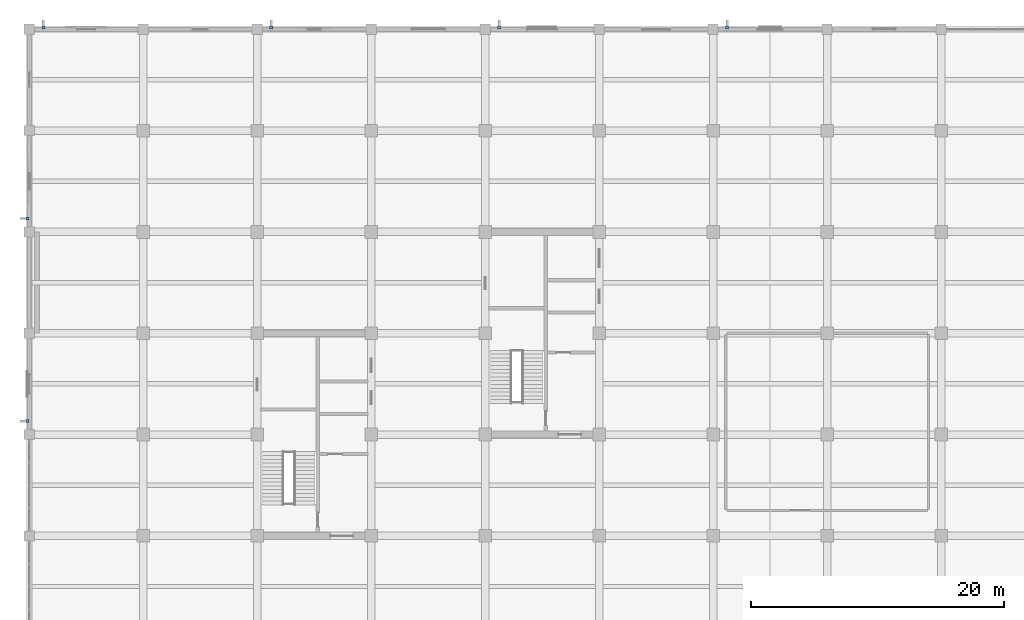
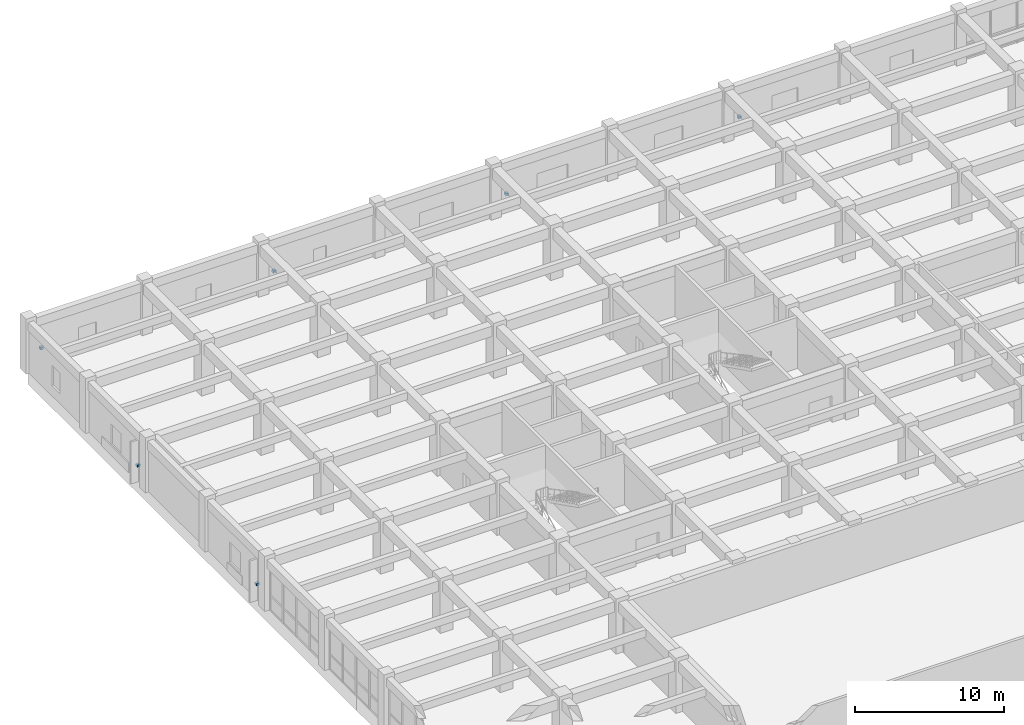
# One storey, part 38 of 50: 6 discrete accessories.
"""IFC4 building model written with IfcOpenShell, lengths in metres."""

from ifc_helpers import new_model, si_unit, direction, frame, origin, origin_2d, place, context, subcontext, project, spatial, rectangle, extrude, material, layer, layer_set, type_object, element, save


model = new_model("IFC4")

# Units and contexts
model_context = context("Model", 3, precision=1e-05, world=origin(), true_north=direction((0.0, 1.0)))
body_context = subcontext(model_context, "Body", "Model", "MODEL_VIEW")
ifc_project = project(units=[si_unit("LENGTHUNIT", "METRE"), si_unit("AREAUNIT", "SQUARE_METRE"), si_unit("VOLUMEUNIT", "CUBIC_METRE"), si_unit("PLANEANGLEUNIT", "RADIAN"), si_unit("MASSUNIT", "GRAM", prefix="KILO")], contexts=[model_context])

# Site, building, storey
site_placement = place(None, origin())
site = spatial("IfcSite", under=ifc_project, at=site_placement, CompositionType="ELEMENT")
building_placement = place(site_placement, origin())
building = spatial("IfcBuilding", under=site, at=building_placement, Name="Zaverband Oceanarium and Marine Research Institute", CompositionType="ELEMENT")
storey_placement = place(building_placement, frame((0.0, 0.0, 4.5)))
storey = spatial("IfcBuildingStorey", under=building, at=storey_placement, Name="L01", CompositionType="ELEMENT", Elevation=4.5)

# Discrete accessories
ifc_material = material(Name="Steel S355", Category="steel")
ifc_layer = layer(ifc_material, 0.179931640625, Name="Steel S355")
ifc_layer_set = layer_set([ifc_layer], Name="Steel S355")
discrete_accessory_type = type_object("IfcDiscreteAccessoryType", Name="BRK-STL-200", PredefinedType="BRACKET", material=ifc_layer_set)
for number, where, z_axis, x_axis, name in (
    (1, (1.10498046875, 120.155029296875, 1.22021484375), (0.0, 0.0, 1.0), (1.0, 0.0, 0.0), "Galvanized steel facade fin structural bracket BRK-STL-200"),
    (2, (19.10498046875, 120.132568359375, 1.22021484375), (0.0, 0.0, 1.0), (1.0, 0.0, 0.0), "Galvanized steel facade fin structural bracket BRK-STL-200"),
    (3, (37.10498046875, 120.155029296875, 1.22021484375), (0.0, 0.0, 1.0), (1.0, 0.0, 0.0), "Galvanized steel facade fin structural bracket BRK-STL-200"),
    (4, (55.10498046875, 120.132568359375, 1.22021484375), (0.0, 0.0, 1.0), (1.0, 0.0, 0.0), "Galvanized steel facade fin structural bracket BRK-STL-200"),
    (5, (-0.155029296875, 89.054931640625, 1.22021484375), (0.0, 0.0, 1.0), (1.0, 0.0, 0.0), "Galvanized steel facade fin structural bracket BRK-STL-200"),
    (6, (-0.132568359375, 105.054931640625, 1.22021484375), (0.0, 0.0, 1.0), (1.0, 0.0, 0.0), "Galvanized steel facade fin structural bracket BRK-STL-200"),
):
    element("IfcDiscreteAccessory", number, at=place(storey_placement, frame(where, z_axis=z_axis, x_axis=x_axis)), inside=storey, type_object=discrete_accessory_type, Name=name, PredefinedType="BRACKET", context=body_context, shape_type="SweptSolid", body=[
        extrude(rectangle(XDim=0.239990234375, YDim=0.239990234375, at=origin_2d()), origin(), (0.0, 0.0, 1.0), 0.179931640625),
    ])

save(model, "model.ifc")
